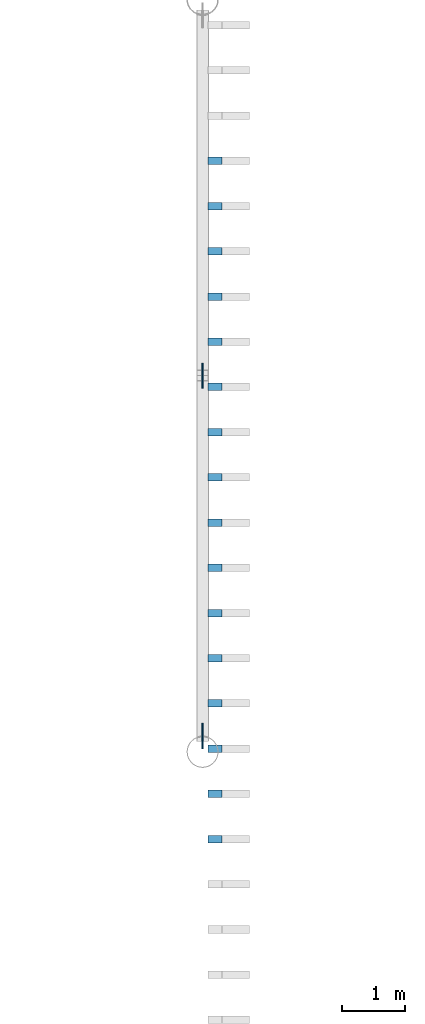
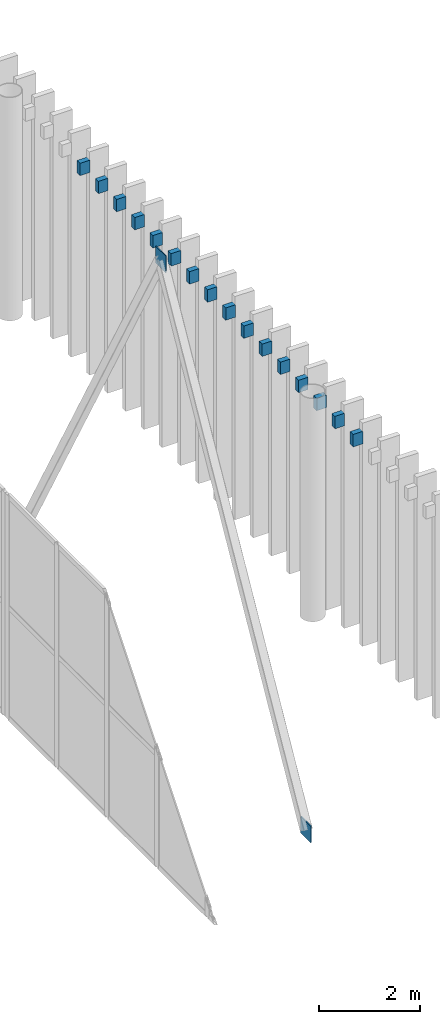
# One storey, part 131 of 170: 18 discrete accessories.
"""IFC4 building model written with IfcOpenShell, lengths in metres."""

from ifc_helpers import new_model, si_unit, direction, frame, origin, origin_2d, place, context, subcontext, project, spatial, rectangle, extrude, material, material_profile, profile_set, type_object, element, save


model = new_model("IFC4")

# Units and contexts
model_context = context("Model", 3, precision=1e-05, world=origin(), true_north=direction((0.0, 1.0)))
body_context = subcontext(model_context, "Body", "Model", "MODEL_VIEW")
ifc_project = project(units=[si_unit("LENGTHUNIT", "METRE"), si_unit("AREAUNIT", "SQUARE_METRE"), si_unit("VOLUMEUNIT", "CUBIC_METRE"), si_unit("PLANEANGLEUNIT", "RADIAN"), si_unit("MASSUNIT", "GRAM", prefix="KILO")], contexts=[model_context])

# Site, building, storey
site_placement = place(None, origin())
site = spatial("IfcSite", under=ifc_project, at=site_placement, CompositionType="ELEMENT")
building_placement = place(site_placement, origin())
building = spatial("IfcBuilding", under=site, at=building_placement, Name="Ravi Spectrum Wholesale Market", CompositionType="ELEMENT")
storey_placement = place(building_placement, frame((0.0, 0.0, 5.39990234375)))
storey = spatial("IfcBuildingStorey", under=building, at=storey_placement, Name="L01", CompositionType="ELEMENT", Elevation=5.39990234375)

# Discrete accessories
ifc_material_1 = material(Name="Steel S355", Category="steel")
discrete_accessory_type_1 = type_object("IfcDiscreteAccessoryType", Name="Fin bracket 120", PredefinedType="BRACKET", material=ifc_material_1)
for number, where, z_axis, x_axis, name in (
    (1, (110.199951171875, 64.609375, 4.89990234375), (0.0, 0.0, 1.0), (0.0, 1.0, 0.0), "Fin bracket B402"),
    (2, (110.199951171875, 65.33056640625, 4.89990234375), (0.0, 0.0, 1.0), (0.0, 1.0, 0.0), "Fin bracket B403"),
    (3, (110.199951171875, 66.051513671875, 4.89990234375), (0.0, 0.0, 1.0), (0.0, 1.0, 0.0), "Fin bracket B404"),
    (4, (110.199951171875, 66.7724609375, 4.89990234375), (0.0, 0.0, 1.0), (0.0, 1.0, 0.0), "Fin bracket B405"),
    (5, (110.199951171875, 67.49365234375, 4.89990234375), (0.0, 0.0, 1.0), (0.0, 1.0, 0.0), "Fin bracket B406"),
    (6, (110.199951171875, 68.214599609375, 4.89990234375), (0.0, 0.0, 1.0), (0.0, 1.0, 0.0), "Fin bracket B407"),
    (7, (110.199951171875, 68.935546875, 4.89990234375), (0.0, 0.0, 1.0), (0.0, 1.0, 0.0), "Fin bracket B408"),
    (8, (110.199951171875, 69.65673828125, 4.89990234375), (0.0, 0.0, 1.0), (0.0, 1.0, 0.0), "Fin bracket B409"),
    (9, (110.199951171875, 70.377685546875, 4.89990234375), (0.0, 0.0, 1.0), (0.0, 1.0, 0.0), "Fin bracket B410"),
    (10, (110.199951171875, 71.0986328125, 4.89990234375), (0.0, 0.0, 1.0), (0.0, 1.0, 0.0), "Fin bracket B411"),
    (11, (110.199951171875, 71.81982421875, 4.89990234375), (0.0, 0.0, 1.0), (0.0, 1.0, 0.0), "Fin bracket B412"),
    (12, (110.199951171875, 72.540771484375, 4.89990234375), (0.0, 0.0, 1.0), (0.0, 1.0, 0.0), "Fin bracket B413"),
    (13, (110.199951171875, 73.26171875, 4.89990234375), (0.0, 0.0, 1.0), (0.0, 1.0, 0.0), "Fin bracket B414"),
    (14, (110.199951171875, 73.98291015625, 4.89990234375), (0.0, 0.0, 1.0), (0.0, 1.0, 0.0), "Fin bracket B415"),
    (15, (110.199951171875, 74.703857421875, 4.89990234375), (0.0, 0.0, 1.0), (0.0, 1.0, 0.0), "Fin bracket B416"),
    (16, (110.199951171875, 75.4248046875, 4.89990234375), (0.0, 0.0, 1.0), (0.0, 1.0, 0.0), "Fin bracket B417"),
):
    element("IfcDiscreteAccessory", number, at=place(storey_placement, frame(where, z_axis=z_axis, x_axis=x_axis)), inside=storey, type_object=discrete_accessory_type_1, Name=name, PredefinedType="BRACKET", context=body_context, shape_type="SweptSolid", body=[
        extrude(rectangle(XDim=0.1201171875, YDim=0.219970703125, at=origin_2d()), origin(), (0.0, 0.0, 1.0), 0.300048828125),
    ])
ifc_material_2 = material(Name="Steel S355", Category="steel")
ifc_material_profile = material_profile(ifc_material_2, rectangle(XDim=0.39990234375, YDim=0.02001953125, at=origin_2d()))
ifc_profile_set = profile_set([ifc_material_profile], Name="Steel S355")
discrete_accessory_type_2 = type_object("IfcDiscreteAccessoryType", Name="Gusset plate 400x400x20", PredefinedType="BRACKET", material=ifc_profile_set)
discrete_accessory_1_placement = place(storey_placement, frame((110.0, 66.25390625, -5.55078125), z_axis=(0.0, 0.0, 1.0), x_axis=(0.0, 1.0, 0.0)))
element("IfcDiscreteAccessory", 17, at=discrete_accessory_1_placement, inside=storey, type_object=discrete_accessory_type_2, Name="Gusset plate", PredefinedType="BRACKET", context=body_context, shape_type="SweptSolid", body=[
    extrude(rectangle(XDim=0.39990234375, YDim=0.02001953125, at=origin_2d()), origin(), (0.0, 0.0, 1.0), 0.39990234375),
])
discrete_accessory_2_placement = place(storey_placement, frame((110.0, 72.0, 4.75), z_axis=(0.0, 0.0, 1.0), x_axis=(0.0, 1.0, 0.0)))
element("IfcDiscreteAccessory", 18, at=discrete_accessory_2_placement, inside=storey, type_object=discrete_accessory_type_2, Name="Gusset plate", PredefinedType="BRACKET", context=body_context, shape_type="SweptSolid", body=[
    extrude(rectangle(XDim=0.39990234375, YDim=0.02001953125, at=origin_2d()), origin(), (0.0, 0.0, 1.0), 0.400146484375),
])

save(model, "model.ifc")
